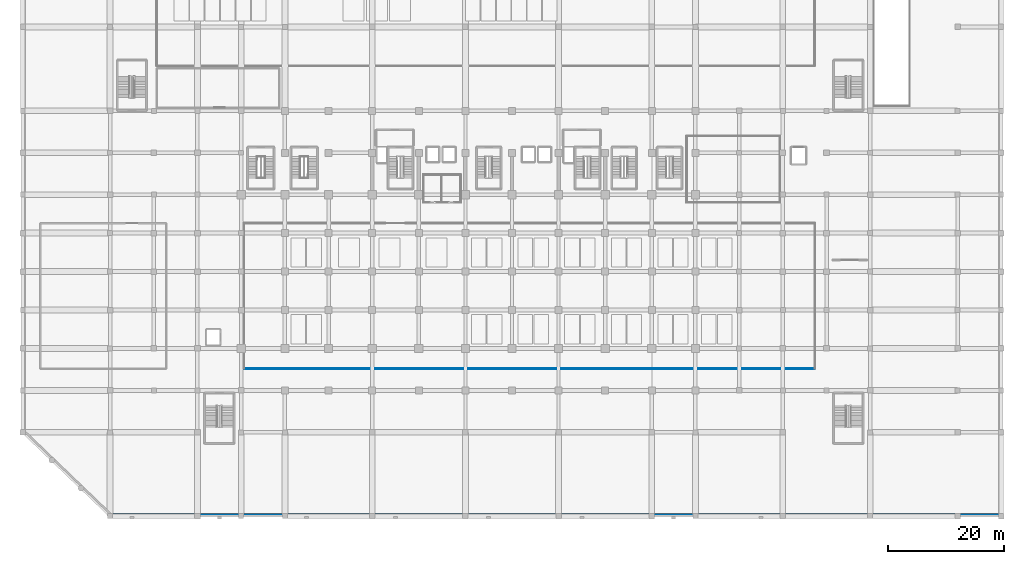
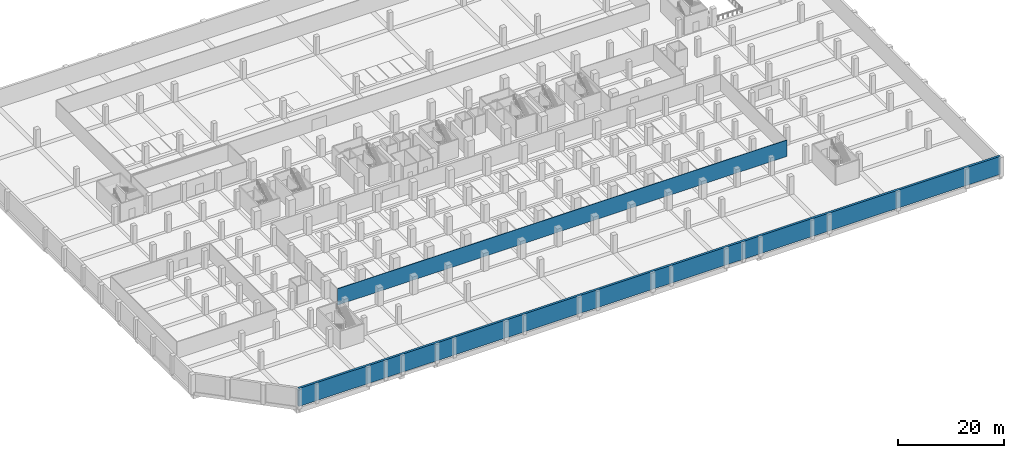
# One storey, part 8 of 25: 2 walls.
"""IFC4 building model written with IfcOpenShell, lengths in metres."""

from ifc_helpers import new_model, si_unit, direction, frame, frame_2d, origin, place, context, subcontext, project, spatial, rectangle, extrude, material, layer, layer_set, type_object, element, save


model = new_model("IFC4")

# Units and contexts
model_context = context("Model", 3, precision=1e-05, world=origin(), true_north=direction((0.0, 1.0)))
body_context = subcontext(model_context, "Body", "Model", "MODEL_VIEW")
ifc_project = project(units=[si_unit("LENGTHUNIT", "METRE"), si_unit("AREAUNIT", "SQUARE_METRE"), si_unit("VOLUMEUNIT", "CUBIC_METRE"), si_unit("PLANEANGLEUNIT", "RADIAN"), si_unit("MASSUNIT", "GRAM", prefix="KILO")], contexts=[model_context])

# Site, building, storey
site_placement = place(None, origin())
site = spatial("IfcSite", under=ifc_project, at=site_placement, CompositionType="ELEMENT")
building_placement = place(site_placement, origin())
building = spatial("IfcBuilding", under=site, at=building_placement, Name="Akrevak Sports Hall", CompositionType="ELEMENT")
storey_placement = place(building_placement, frame((0.0, 0.0, -4.5)))
storey = spatial("IfcBuildingStorey", under=building, at=storey_placement, Name="B01", CompositionType="ELEMENT", Elevation=-4.5)

# Walls
ifc_material_1 = material(Name="Standard Metal Stud Partition", Category="gypsum")
ifc_layer_1 = layer(ifc_material_1, 0.1201171875, Name="Standard Metal Stud Partition")
ifc_layer_set_1 = layer_set([ifc_layer_1], Name="Standard Metal Stud Partition")
wall_type_1 = type_object("IfcWallType", Name="ARC-WL-PRT-120", PredefinedType="PARTITIONING", material=ifc_layer_set_1)
wall_1_placement = place(storey_placement, frame((38.0, 25.300048828125, 0.0), z_axis=(0.0, 0.0, 1.0), x_axis=(1.0, 0.0, 0.0)))
element("IfcWall", 1, at=wall_1_placement, inside=storey, type_object=wall_type_1, Name="Interior Partition Underground Car Park Hall South B01 (S)", PredefinedType="PARTITIONING", context=body_context, shape_type="SweptSolid", body=[
    extrude(rectangle(XDim=98.0, YDim=0.1201171875, at=frame_2d((49.0, 0.0))), origin(), (0.0, 0.0, 1.0), 3.780029296875),
])
ifc_material_2 = material(Name="Concrete C40/50", Category="concrete")
ifc_layer_2 = layer(ifc_material_2, 0.47998046875, Name="Concrete C40/50")
ifc_layer_set_2 = layer_set([ifc_layer_2], Name="Concrete C40/50")
wall_type_2 = type_object("IfcWallType", Name="STR-WL-RET-480", PredefinedType="SOLIDWALL", material=ifc_layer_set_2)
wall_2_placement = place(storey_placement, frame((15.0, 0.239990234375, 0.0), z_axis=(0.0, 0.0, 1.0), x_axis=(1.0, 0.0, 0.0)))
element("IfcWall", 2, at=wall_2_placement, inside=storey, type_object=wall_type_2, Name="Basement Retaining Wall B01-1", PredefinedType="SOLIDWALL", context=body_context, shape_type="SweptSolid", body=[
    extrude(rectangle(XDim=153.0, YDim=0.47998046875, at=frame_2d((76.5, 0.0))), origin(), (0.0, 0.0, 1.0), 4.14990234375),
])

save(model, "model.ifc")
